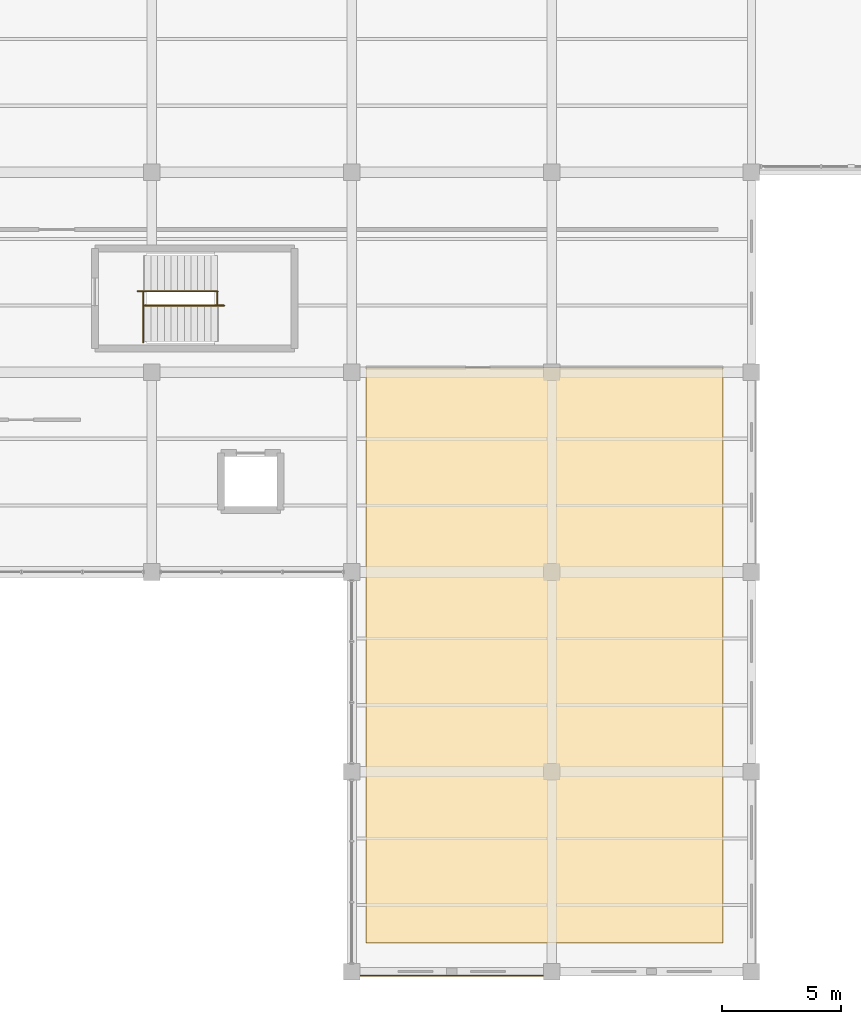
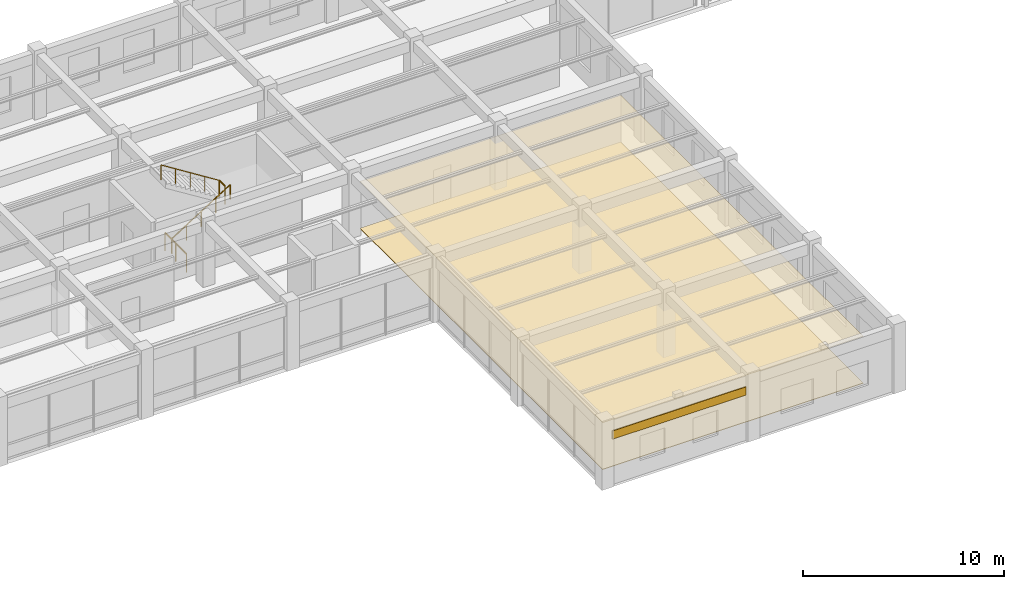
# One storey, part 138 of 152: 4 railings, 3 coverings.
"""IFC4 building model written with IfcOpenShell, lengths in metres."""

from ifc_helpers import new_model, si_unit, direction, frame, origin, origin_2d, place, context, subcontext, project, spatial, polyline, circle, outline, extrude, material, layer, layer_set, type_object, element, save


model = new_model("IFC4")

# Units and contexts
model_context = context("Model", 3, precision=1e-05, world=origin(), true_north=direction((0.0, 1.0)))
body_context = subcontext(model_context, "Body", "Model", "MODEL_VIEW")
ifc_project = project(units=[si_unit("LENGTHUNIT", "METRE"), si_unit("AREAUNIT", "SQUARE_METRE"), si_unit("VOLUMEUNIT", "CUBIC_METRE"), si_unit("PLANEANGLEUNIT", "RADIAN"), si_unit("MASSUNIT", "GRAM", prefix="KILO"), si_unit("THERMODYNAMICTEMPERATUREUNIT", "KELVIN"), si_unit("POWERUNIT", "WATT")], contexts=[model_context])

# Site, building, storey
site_placement = place(None, origin())
site = spatial("IfcSite", under=ifc_project, at=site_placement, CompositionType="ELEMENT")
building_placement = place(site_placement, origin())
building = spatial("IfcBuilding", under=site, at=building_placement, Name="Darbajah Civic Hall", CompositionType="ELEMENT")
storey_placement = place(building_placement, frame((0.0, 0.0, 5.39990234375)))
storey = spatial("IfcBuildingStorey", under=building, at=storey_placement, Name="L01", CompositionType="ELEMENT", Elevation=5.39990234375)

# Railings
ifc_material_1 = material(Name="Brushed Bronze Stainless Steel", Category="steel")
railing_type_1 = type_object("IfcRailingType", Name="Brushed Bronze Handrail", PredefinedType="HANDRAIL", material=ifc_material_1)
railing_1_placement = place(storey_placement, frame((41.679931640625, 28.0, 0.175048828125)))
element("IfcRailing", 1, at=railing_1_placement, inside=storey, type_object=railing_type_1, Name="ST11 L01 lower flight handrail", PredefinedType="HANDRAIL", context=body_context, shape_type="SweptSolid", body=[
    extrude(circle(Radius=0.02392578125, at=origin_2d()), frame((0.023193359375, 0.0, 0.910400390625), z_axis=(0.845944288966, 0.0, 0.533271281775), x_axis=(0.0, 1.0, 0.0)), (0.0, 0.0, 1.0), 3.91748046875),
    extrude(circle(Radius=0.02099609375, at=origin_2d()), origin(), (0.0, 0.0, 1.0), 0.867919921875),
    extrude(circle(Radius=0.02099609375, at=origin_2d()), frame((0.840087890625, 0.0, 0.529541015625)), (0.0, 0.0, 1.0), 0.867919921875),
    extrude(circle(Radius=0.02099609375, at=origin_2d()), frame((1.68017578125, 0.0, 1.05908203125)), (0.0, 0.0, 1.0), 0.867919921875),
    extrude(circle(Radius=0.02099609375, at=origin_2d()), frame((2.52001953125, 0.0, 1.588623046875)), (0.0, 0.0, 1.0), 0.867919921875),
    extrude(circle(Radius=0.02099609375, at=origin_2d()), frame((3.360107421875, 0.0, 2.1181640625)), (0.0, 0.0, 1.0), 0.867919921875),
])
railing_2_placement = place(storey_placement, frame((44.760009765625, 28.60009765625, 2.275146484375)))
element("IfcRailing", 2, at=railing_2_placement, inside=storey, type_object=railing_type_1, Name="ST11 L01 upper flight handrail", PredefinedType="HANDRAIL", context=body_context, shape_type="SweptSolid", body=[
    extrude(circle(Radius=0.02392578125, at=origin_2d()), frame((-0.023193359375, 0.0, 0.910400390625), z_axis=(-0.845944288966, 0.0, 0.533271281775), x_axis=(0.0, -1.0, 0.0)), (0.0, 0.0, 1.0), 3.91748046875),
    extrude(circle(Radius=0.02099609375, at=origin_2d()), origin(), (0.0, 0.0, 1.0), 0.867919921875),
    extrude(circle(Radius=0.02099609375, at=origin_2d()), frame((-0.840087890625, 0.0, 0.529541015625)), (0.0, 0.0, 1.0), 0.867919921875),
    extrude(circle(Radius=0.02099609375, at=origin_2d()), frame((-1.68017578125, 0.0, 1.05908203125)), (0.0, 0.0, 1.0), 0.867919921875),
    extrude(circle(Radius=0.02099609375, at=origin_2d()), frame((-2.52001953125, 0.0, 1.588623046875)), (0.0, 0.0, 1.0), 0.867919921875),
    extrude(circle(Radius=0.02099609375, at=origin_2d()), frame((-3.360107421875, 0.0, 2.1181640625)), (0.0, 0.0, 1.0), 0.867919921875),
])

# Covering
ifc_material_2 = material(Name="Honed Qatari Limestone Terrazzo", Category="masonry")
ifc_layer_1 = layer(ifc_material_2, 0.030029296875, Name="Honed Qatari Limestone Terrazzo")
ifc_layer_set_1 = layer_set([ifc_layer_1], Name="Honed Qatari Limestone Terrazzo")
covering_type_1 = type_object("IfcCoveringType", Name="Honed Qatari Limestone Terrazzo Flooring", PredefinedType="FLOORING", material=ifc_layer_set_1)
covering_1_placement = place(storey_placement, origin())
element("IfcCovering", 3, at=covering_1_placement, inside=storey, type_object=covering_type_1, Name="L01 stone terrazzo flooring L01-V5-04", PredefinedType="FLOORING", context=body_context, shape_type="SweptSolid", body=[
    extrude(outline(polyline([(51.0, 1.199951171875), (66.0, 1.199951171875), (66.0, 25.39990234375), (51.0, 25.39990234375), (51.0, 1.199951171875)])), origin(), (0.0, 0.0, 1.0), 0.030029296875),
])

# Railings
ifc_material_3 = material(Name="Brushed Bronze and Laminated Safety Glass", Category="glass")
railing_type_2 = type_object("IfcRailingType", Name="Interior Guard Balustrade", PredefinedType="BALUSTRADE", material=ifc_material_3)
railing_3_placement = place(storey_placement, frame((41.6298828125, 26.449951171875, 0.0)))
element("IfcRailing", 4, at=railing_3_placement, inside=storey, type_object=railing_type_2, Name="ST11 L01 stair-well edge guard", PredefinedType="BALUSTRADE", context=body_context, shape_type="SweptSolid", body=[
    extrude(circle(Radius=0.02392578125, at=origin_2d()), frame((0.0, 0.02734375, 1.09619140625), z_axis=(0.0, 1.0, 0.0), x_axis=(-1.0, 0.0, 0.0)), (0.0, 0.0, 1.0), 2.095458984375),
    extrude(circle(Radius=0.02099609375, at=origin_2d()), origin(), (0.0, 0.0, 1.0), 1.068115234375),
    extrude(circle(Radius=0.02099609375, at=origin_2d()), frame((0.0, 1.0751953125, 0.0)), (0.0, 0.0, 1.0), 1.068115234375),
    extrude(circle(Radius=0.02099609375, at=origin_2d()), frame((0.0, 2.150146484375, 0.0)), (0.0, 0.0, 1.0), 1.068115234375),
])
railing_4_placement = place(storey_placement, frame((44.739990234375, 28.0, 2.10009765625)))
element("IfcRailing", 5, at=railing_4_placement, inside=storey, type_object=railing_type_2, Name="ST11 L01 landing well guard", PredefinedType="BALUSTRADE", context=body_context, shape_type="SweptSolid", body=[
    extrude(circle(Radius=0.02392578125, at=origin_2d()), frame((0.0, 0.02734375, 1.09619140625), z_axis=(0.0, 1.0, 0.0), x_axis=(-1.0, 0.0, 0.0)), (0.0, 0.0, 1.0), 0.54541015625),
    extrude(circle(Radius=0.02099609375, at=origin_2d()), origin(), (0.0, 0.0, 1.0), 1.068115234375),
    extrude(circle(Radius=0.02099609375, at=origin_2d()), frame((0.0, 0.60009765625, 0.0)), (0.0, 0.0, 1.0), 1.068115234375),
])

# Coverings
ifc_material_4 = material(Name="Qatari Desert Limestone Ashlar", Category="masonry")
ifc_layer_2 = layer(ifc_material_4, 0.044921875, Name="Qatari Desert Limestone Ashlar")
ifc_layer_set_2 = layer_set([ifc_layer_2], Name="Qatari Desert Limestone Ashlar")
covering_type_2 = type_object("IfcCoveringType", Name="Limestone Facade Cladding", PredefinedType="CLADDING", material=ifc_layer_set_2)
covering_2_placement = place(storey_placement, frame((0.0, 0.0, 2.7900390625)))
element("IfcCovering", 6, at=covering_2_placement, inside=storey, type_object=covering_type_2, Name="L01 stone frieze cladding EW-V5-L01-S4-B0", PredefinedType="CLADDING", context=body_context, shape_type="SweptSolid", body=[
    extrude(outline(polyline([(50.751953125, -0.155029296875), (58.447998046875, -0.155029296875), (58.447998046875, -0.199951171875), (50.751953125, -0.199951171875), (50.751953125, -0.155029296875)])), origin(), (0.0, 0.0, 1.0), 0.5),
])
ifc_material_5 = material(Name="Perforated Acoustic Gypsum Board")
ifc_layer_3 = layer(ifc_material_5, 0.02490234375, Name="Perforated Acoustic Gypsum Board")
ifc_layer_set_3 = layer_set([ifc_layer_3], Name="Perforated Acoustic Gypsum Board")
covering_type_3 = type_object("IfcCoveringType", Name="Perforated Acoustic Gypsum Ceiling", PredefinedType="CEILING", material=ifc_layer_set_3)
covering_3_placement = place(storey_placement, frame((0.0, 0.0, 2.85009765625)))
element("IfcCovering", 7, at=covering_3_placement, inside=storey, type_object=covering_type_3, Name="L01 acoustic suspended ceiling L01-V5-04", PredefinedType="CEILING", context=body_context, shape_type="SweptSolid", body=[
    extrude(outline(polyline([(51.0, 1.199951171875), (66.0, 1.199951171875), (66.0, 25.39990234375), (51.0, 25.39990234375), (51.0, 1.199951171875)])), origin(), (0.0, 0.0, 1.0), 0.02490234375),
])

save(model, "model.ifc")
